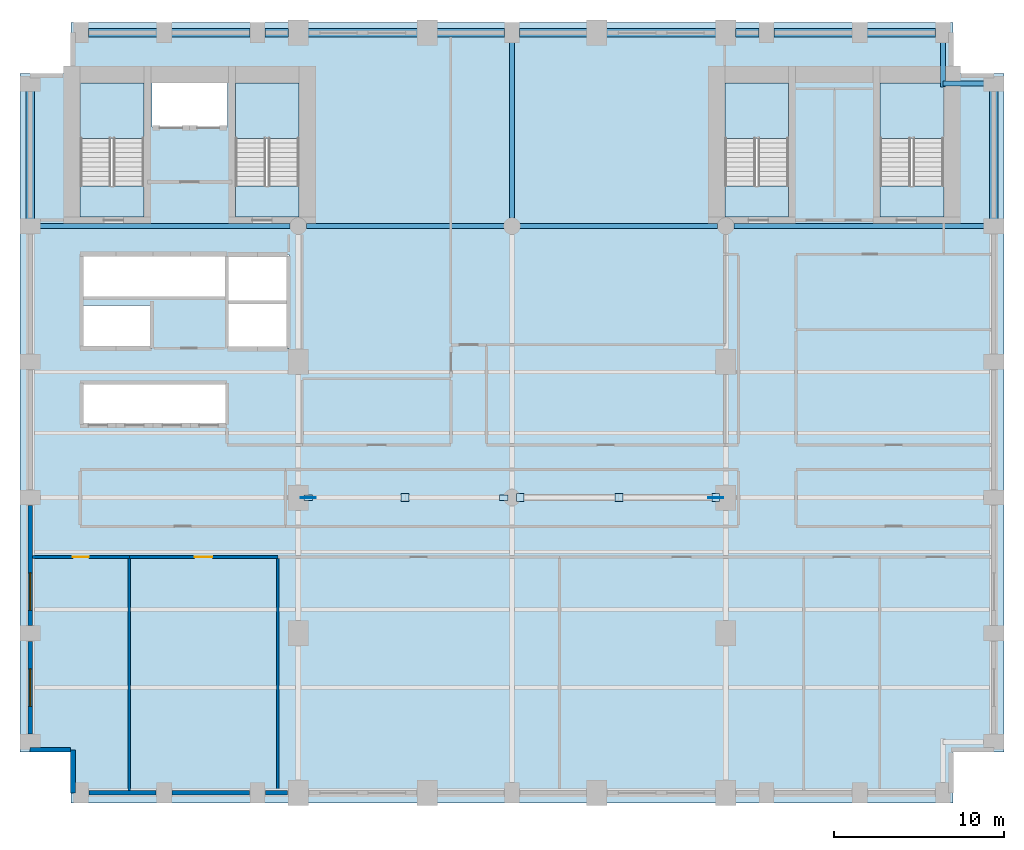
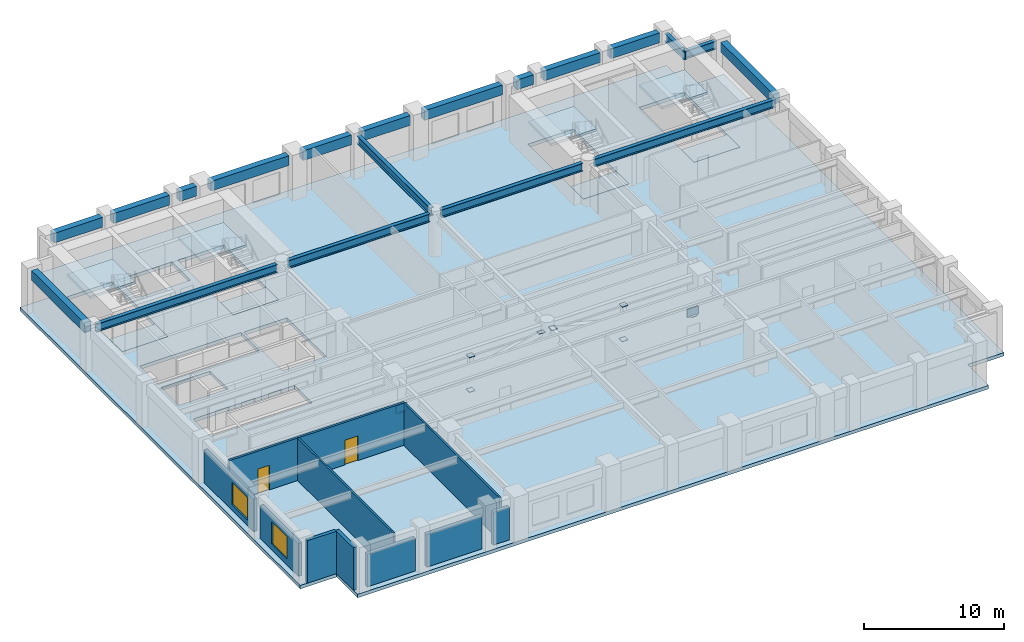
# One storey, part 4 of 10: 19 beams, 11 walls, 10 plates, 9 slabs, 2 doors, 2 windows, 4 openings, 4 elements without a shape of their own.
"""IFC4 building model written with IfcOpenShell, lengths in metres."""

from ifc_helpers import new_model, si_unit, direction, frame, frame_2d, origin, origin_2d, place, context, subcontext, project, spatial, polyline, rectangle, i_section, outline, extrude, material, layer, layer_set, material_profile, profile_set, type_object, element, fill, aggregate, save


model = new_model("IFC4")

# Units and contexts
model_context = context("Model", 3, precision=1e-05, world=origin(), true_north=direction((0.0, 1.0)))
body_context = subcontext(model_context, "Body", "Model", "MODEL_VIEW")
ifc_project = project(units=[si_unit("LENGTHUNIT", "METRE"), si_unit("AREAUNIT", "SQUARE_METRE"), si_unit("VOLUMEUNIT", "CUBIC_METRE"), si_unit("PLANEANGLEUNIT", "RADIAN"), si_unit("MASSUNIT", "GRAM", prefix="KILO")], contexts=[model_context])

# Site, building, storey
site_placement = place(None, origin())
site = spatial("IfcSite", under=ifc_project, at=site_placement, CompositionType="ELEMENT")
building_placement = place(site_placement, origin())
building = spatial("IfcBuilding", under=site, at=building_placement, Name="Sulina Concourse Tower", CompositionType="ELEMENT")
storey_placement = place(building_placement, frame((0.0, 0.0, 58.60009765625)))
storey = spatial("IfcBuildingStorey", under=building, at=storey_placement, Name="L14", CompositionType="ELEMENT", Elevation=58.60009765625)

# Beams
ifc_material_1 = material(Name="Steel S355", Category="steel")
ifc_material_profile_1 = material_profile(ifc_material_1, i_section(OverallWidth=0.300048828125, OverallDepth=0.699951171875, WebThickness=0.01708984375, FlangeThickness=0.031982421875, at=origin_2d()), Name="HE 700 B")
ifc_profile_set_1 = profile_set([ifc_material_profile_1], Name="Steel S355")
beam_type_1 = type_object("IfcBeamType", Name="Floor Primary Girder Zone 1 HE700B", PredefinedType="BEAM", material=ifc_profile_set_1)
beam_1_placement = place(storey_placement, frame((54.39990234375, 42.39990234375, 3.349853515625), z_axis=(1.0, 0.0, 0.0), x_axis=(0.0, 1.0, 0.0)))
element("IfcBeam", 1, at=beam_1_placement, inside=storey, type_object=beam_type_1, Name="TIE-NE-L14", PredefinedType="BEAM", context=body_context, shape_type="SweptSolid", body=[
    extrude(i_section(OverallWidth=0.300048828125, OverallDepth=0.699951171875, WebThickness=0.01708984375, FlangeThickness=0.031982421875, at=origin_2d()), origin(), (0.0, 0.0, 1.0), 2.570068359375),
])
beam_2_placement = place(storey_placement, frame((54.39990234375, 42.199951171875, 3.349853515625), z_axis=(0.0, 1.0, 0.0), x_axis=(-1.0, 0.0, 0.0)))
element("IfcBeam", 2, at=beam_2_placement, inside=storey, type_object=beam_type_1, Name="TIE-NEN-L14", PredefinedType="BEAM", context=body_context, shape_type="SweptSolid", body=[
    extrude(i_section(OverallWidth=0.300048828125, OverallDepth=0.699951171875, WebThickness=0.01708984375, FlangeThickness=0.031982421875, at=origin_2d()), origin(), (0.0, 0.0, 1.0), 2.77001953125),
])
beam_3_placement = place(storey_placement, frame((1.030029296875, 34.0, 3.349853515625), z_axis=(1.0, 0.0, 0.0), x_axis=(0.0, 1.0, 0.0)))
element("IfcBeam", 3, at=beam_3_placement, inside=storey, type_object=beam_type_1, Name="FG-EWN1-L14", PredefinedType="BEAM", context=body_context, shape_type="SweptSolid", body=[
    extrude(i_section(OverallWidth=0.300048828125, OverallDepth=0.699951171875, WebThickness=0.01708984375, FlangeThickness=0.031982421875, at=origin_2d()), origin(), (0.0, 0.0, 1.0), 14.889892578125),
])
for number, where, z_axis, x_axis, name in (
    (4, (16.8798828125, 34.0, 3.349853515625), (1.0, 0.0, 0.0), (0.0, 1.0, 0.0), "FG-EWN2-L14"),
    (5, (29.47998046875, 34.0, 3.349853515625), (1.0, 0.0, 0.0), (0.0, 1.0, 0.0), "FG-EWN3-L14"),
):
    element("IfcBeam", number, at=place(storey_placement, frame(where, z_axis=z_axis, x_axis=x_axis)), inside=storey, type_object=beam_type_1, Name=name, PredefinedType="BEAM", context=body_context, shape_type="SweptSolid", body=[
        extrude(i_section(OverallWidth=0.300048828125, OverallDepth=0.699951171875, WebThickness=0.01708984375, FlangeThickness=0.031982421875, at=origin_2d()), origin(), (0.0, 0.0, 1.0), 11.64013671875),
    ])
beam_4_placement = place(storey_placement, frame((42.080078125, 34.0, 3.349853515625), z_axis=(1.0, 0.0, 0.0), x_axis=(0.0, 1.0, 0.0)))
element("IfcBeam", 6, at=beam_4_placement, inside=storey, type_object=beam_type_1, Name="FG-EWN4-L14", PredefinedType="BEAM", context=body_context, shape_type="SweptSolid", body=[
    extrude(i_section(OverallWidth=0.300048828125, OverallDepth=0.699951171875, WebThickness=0.01708984375, FlangeThickness=0.031982421875, at=origin_2d()), origin(), (0.0, 0.0, 1.0), 14.889892578125),
])
beam_5_placement = place(storey_placement, frame((29.0, 34.47998046875, 3.349853515625), z_axis=(0.0, 1.0, 0.0), x_axis=(-1.0, 0.0, 0.0)))
element("IfcBeam", 7, at=beam_5_placement, inside=storey, type_object=beam_type_1, Name="FG-NSC-29-L14", PredefinedType="BEAM", context=body_context, shape_type="SweptSolid", body=[
    extrude(i_section(OverallWidth=0.300048828125, OverallDepth=0.699951171875, WebThickness=0.01708984375, FlangeThickness=0.031982421875, at=origin_2d()), origin(), (0.0, 0.0, 1.0), 10.489990234375),
])
ifc_material_2 = material(Name="Precast concrete C50/60", Category="concrete")
ifc_material_profile_2 = material_profile(ifc_material_2, rectangle(XDim=0.5, YDim=0.85009765625, at=origin_2d()), Name="RC 500x850")
ifc_profile_set_2 = profile_set([ifc_material_profile_2], Name="Precast concrete C50/60")
beam_type_2 = type_object("IfcBeamType", Name="Lower Precast Spandrel Edge Beam 500x850", PredefinedType="BEAM", material=ifc_profile_set_2)
beam_6_placement = place(storey_placement, frame((4.030029296875, 45.39990234375, 3.27490234375), z_axis=(1.0, 0.0, 0.0), x_axis=(0.0, 1.0, 0.0)))
element("IfcBeam", 8, at=beam_6_placement, inside=storey, type_object=beam_type_2, Name="SP-N1-L14", PredefinedType="BEAM", context=body_context, shape_type="SweptSolid", body=[
    extrude(rectangle(XDim=0.5, YDim=0.85009765625, at=origin_2d()), origin(), (0.0, 0.0, 1.0), 4.0400390625),
])
beam_7_placement = place(storey_placement, frame((8.929931640625, 45.39990234375, 3.27490234375), z_axis=(1.0, 0.0, 0.0), x_axis=(0.0, 1.0, 0.0)))
element("IfcBeam", 9, at=beam_7_placement, inside=storey, type_object=beam_type_2, Name="SP-N2-L14", PredefinedType="BEAM", context=body_context, shape_type="SweptSolid", body=[
    extrude(rectangle(XDim=0.5, YDim=0.85009765625, at=origin_2d()), origin(), (0.0, 0.0, 1.0), 4.64013671875),
])
beam_8_placement = place(storey_placement, frame((14.429931640625, 45.39990234375, 3.27490234375), z_axis=(1.0, 0.0, 0.0), x_axis=(0.0, 1.0, 0.0)))
element("IfcBeam", 10, at=beam_8_placement, inside=storey, type_object=beam_type_2, Name="SP-N3-L14", PredefinedType="BEAM", context=body_context, shape_type="SweptSolid", body=[
    extrude(rectangle(XDim=0.5, YDim=0.85009765625, at=origin_2d()), origin(), (0.0, 0.0, 1.0), 1.39013671875),
])
beam_9_placement = place(storey_placement, frame((16.97998046875, 45.39990234375, 3.27490234375), z_axis=(1.0, 0.0, 0.0), x_axis=(0.0, 1.0, 0.0)))
element("IfcBeam", 11, at=beam_9_placement, inside=storey, type_object=beam_type_2, Name="SP-N4-L14", PredefinedType="BEAM", context=body_context, shape_type="SweptSolid", body=[
    extrude(rectangle(XDim=0.5, YDim=0.85009765625, at=origin_2d()), origin(), (0.0, 0.0, 1.0), 6.43994140625),
])
for number, where, z_axis, x_axis, name in (
    (12, (24.580078125, 45.39990234375, 3.27490234375), (1.0, 0.0, 0.0), (0.0, 1.0, 0.0), "SP-N5-L14"),
    (13, (29.429931640625, 45.39990234375, 3.27490234375), (1.0, 0.0, 0.0), (0.0, 1.0, 0.0), "SP-N6-L14"),
):
    element("IfcBeam", number, at=place(storey_placement, frame(where, z_axis=z_axis, x_axis=x_axis)), inside=storey, type_object=beam_type_2, Name=name, PredefinedType="BEAM", context=body_context, shape_type="SweptSolid", body=[
        extrude(rectangle(XDim=0.5, YDim=0.85009765625, at=origin_2d()), origin(), (0.0, 0.0, 1.0), 3.989990234375),
    ])
beam_10_placement = place(storey_placement, frame((34.580078125, 45.39990234375, 3.27490234375), z_axis=(1.0, 0.0, 0.0), x_axis=(0.0, 1.0, 0.0)))
element("IfcBeam", 14, at=beam_10_placement, inside=storey, type_object=beam_type_2, Name="SP-N7-L14", PredefinedType="BEAM", context=body_context, shape_type="SweptSolid", body=[
    extrude(rectangle(XDim=0.5, YDim=0.85009765625, at=origin_2d()), origin(), (0.0, 0.0, 1.0), 6.43994140625),
])
beam_11_placement = place(storey_placement, frame((42.179931640625, 45.39990234375, 3.27490234375), z_axis=(1.0, 0.0, 0.0), x_axis=(0.0, 1.0, 0.0)))
element("IfcBeam", 15, at=beam_11_placement, inside=storey, type_object=beam_type_2, Name="SP-N8-L14", PredefinedType="BEAM", context=body_context, shape_type="SweptSolid", body=[
    extrude(rectangle(XDim=0.5, YDim=0.85009765625, at=origin_2d()), origin(), (0.0, 0.0, 1.0), 1.39013671875),
])
beam_12_placement = place(storey_placement, frame((44.429931640625, 45.39990234375, 3.27490234375), z_axis=(1.0, 0.0, 0.0), x_axis=(0.0, 1.0, 0.0)))
element("IfcBeam", 16, at=beam_12_placement, inside=storey, type_object=beam_type_2, Name="SP-N9-L14", PredefinedType="BEAM", context=body_context, shape_type="SweptSolid", body=[
    extrude(rectangle(XDim=0.5, YDim=0.85009765625, at=origin_2d()), origin(), (0.0, 0.0, 1.0), 4.64013671875),
])
beam_13_placement = place(storey_placement, frame((49.929931640625, 45.39990234375, 3.27490234375), z_axis=(1.0, 0.0, 0.0), x_axis=(0.0, 1.0, 0.0)))
element("IfcBeam", 17, at=beam_13_placement, inside=storey, type_object=beam_type_2, Name="SP-N10-L14", PredefinedType="BEAM", context=body_context, shape_type="SweptSolid", body=[
    extrude(rectangle(XDim=0.5, YDim=0.85009765625, at=origin_2d()), origin(), (0.0, 0.0, 1.0), 4.0400390625),
])
for number, where, z_axis, x_axis, name in (
    (18, (0.60009765625, 34.429931640625, 3.27490234375), (0.0, 1.0, 0.0), (-1.0, 0.0, 0.0), "SP-W5-L14"),
    (19, (57.39990234375, 34.429931640625, 3.27490234375), (0.0, 1.0, 0.0), (-1.0, 0.0, 0.0), "SP-E5-L14"),
):
    element("IfcBeam", number, at=place(storey_placement, frame(where, z_axis=z_axis, x_axis=x_axis)), inside=storey, type_object=beam_type_2, Name=name, PredefinedType="BEAM", context=body_context, shape_type="SweptSolid", body=[
        extrude(rectangle(XDim=0.5, YDim=0.85009765625, at=origin_2d()), origin(), (0.0, 0.0, 1.0), 7.5400390625),
    ])

# Plates
ifc_material_3 = material(Name="Steel S355", Category="steel")
ifc_layer_1 = layer(ifc_material_3, 0.050048828125)
ifc_layer_set_1 = layer_set([ifc_layer_1], Name="Steel S355")
plate_type_1 = type_object("IfcPlateType", Name="Bridge Truss Node Gusset Plate 50mm", PredefinedType="USERDEFINED", material=ifc_layer_set_1)
for number, where, z_axis, x_axis, name in (
    (20, (16.989990234375, 18.0, 0.06982421875), (0.0, 0.0, 1.0), (1.0, 0.0, 0.0), "LBT-DG-1-L14 node gusset plate"),
    (21, (41.010009765625, 18.0, 0.06982421875), (0.0, 0.0, 1.0), (1.0, 0.0, 0.0), "LBT-DG-2-L14 node gusset plate"),
):
    element("IfcPlate", number, at=place(storey_placement, frame(where, z_axis=z_axis, x_axis=x_axis)), inside=storey, type_object=plate_type_1, Name=name, ObjectType="GUSSET_PLATE", PredefinedType="USERDEFINED", context=body_context, shape_type="SweptSolid", body=[
        extrude(rectangle(XDim=0.89990234375, YDim=0.050048828125, at=origin_2d()), origin(), (0.0, 0.0, 1.0), 0.699951171875),
    ])
ifc_material_4 = material(Name="Steel S355", Category="steel")
ifc_layer_2 = layer(ifc_material_4, 0.035888671875)
ifc_layer_set_2 = layer_set([ifc_layer_2], Name="Steel S355")
plate_type_2 = type_object("IfcPlateType", Name="Heavy RHS500 End-Cap Plate 36mm", PredefinedType="USERDEFINED", material=ifc_layer_set_2)
for number, where, z_axis, x_axis, name in (
    (22, (16.989990234375, 18.0, 0.10205078125), (0.0, 0.0, 1.0), (1.0, 0.0, 0.0), "LBT-DG-1-L14 end cap plate 1"),
    (23, (28.510009765625, 18.0, 2.9921875), (0.0, 0.0, 1.0), (1.0, 0.0, 0.0), "LBT-DG-1-L14 end cap plate 2"),
):
    element("IfcPlate", number, at=place(storey_placement, frame(where, z_axis=z_axis, x_axis=x_axis)), inside=storey, type_object=plate_type_2, Name=name, ObjectType="CAP_PLATE", PredefinedType="USERDEFINED", context=body_context, shape_type="SweptSolid", body=[
        extrude(rectangle(XDim=0.52001953125, YDim=0.320068359375, at=origin_2d()), origin(), (0.0, 0.0, 1.0), 0.035888671875),
    ])

# Slab
ifc_material_5 = material(Name="Concrete C50/60", Category="concrete")
ifc_layer_3 = layer(ifc_material_5, 0.300048828125)
ifc_layer_set_3 = layer_set([ifc_layer_3], Name="Concrete C50/60")
slab_type_1 = type_object("IfcSlabType", Name="Low-Rise Composite Floor Slab 300mm", PredefinedType="FLOOR", material=ifc_layer_set_3)
slab_1_placement = place(storey_placement, frame((0.0, 0.0, -0.300048828125)))
element("IfcSlab", 24, at=slab_1_placement, inside=storey, type_object=slab_type_1, Name="L14 structural floor slab", PredefinedType="FLOOR", context=body_context, shape_type="SweptSolid", body=[
    extrude(outline(polyline([(3.0, 0.0), (55.0, 0.0), (55.0, 3.0), (58.0, 3.0), (58.0, 43.0), (55.0, 43.0), (55.0, 46.0), (3.0, 46.0), (3.0, 43.0), (0.0, 43.0), (0.0, 3.0), (3.0, 3.0), (3.0, 0.0)]), holes=[polyline([(7.31005859375, 34.550048828125), (7.31005859375, 42.429931640625), (3.550048828125, 42.429931640625), (3.550048828125, 34.550048828125), (7.31005859375, 34.550048828125)]), polyline([(16.449951171875, 34.550048828125), (16.449951171875, 42.429931640625), (12.68994140625, 42.429931640625), (12.68994140625, 34.550048828125), (16.449951171875, 34.550048828125)]), polyline([(45.31005859375, 34.550048828125), (45.31005859375, 42.429931640625), (41.550048828125, 42.429931640625), (41.550048828125, 34.550048828125), (45.31005859375, 34.550048828125)]), polyline([(54.449951171875, 34.550048828125), (54.449951171875, 42.429931640625), (50.68994140625, 42.429931640625), (50.68994140625, 34.550048828125), (54.449951171875, 34.550048828125)]), polyline([(7.780029296875, 39.830078125), (12.219970703125, 39.830078125), (12.219970703125, 42.449951171875), (7.780029296875, 42.449951171875), (7.780029296875, 39.830078125)]), polyline([(3.739990234375, 26.780029296875), (7.77001953125, 26.780029296875), (7.77001953125, 29.320068359375), (3.739990234375, 29.320068359375), (3.739990234375, 26.780029296875)]), polyline([(3.739990234375, 29.780029296875), (12.10009765625, 29.780029296875), (12.10009765625, 32.3701171875), (3.739990234375, 32.3701171875), (3.739990234375, 29.780029296875)]), polyline([(3.739990234375, 22.280029296875), (12.10009765625, 22.280029296875), (12.10009765625, 24.77001953125), (3.739990234375, 24.77001953125), (3.739990234375, 22.280029296875)]), polyline([(12.280029296875, 26.780029296875), (15.85009765625, 26.780029296875), (15.85009765625, 32.320068359375), (12.280029296875, 32.320068359375), (12.280029296875, 26.780029296875)])]), origin(), (0.0, 0.0, 1.0), 0.300048828125),
])

# Plates
ifc_material_6 = material(Name="Steel S355", Category="steel")
ifc_layer_4 = layer(ifc_material_6, 0.028076171875)
ifc_layer_set_4 = layer_set([ifc_layer_4], Name="Steel S355")
plate_type_3 = type_object("IfcPlateType", Name="Medium Hollow Section End-Cap Plate 28mm", PredefinedType="USERDEFINED", material=ifc_layer_set_4)
for number, where, z_axis, x_axis, name in (
    (25, (22.699951171875, 18.0, -0.00927734375), (0.0, 0.0, 1.0), (1.0, 0.0, 0.0), "LBT-VP-1-L14 end cap plate 1"),
    (26, (22.699951171875, 18.0, 2.99609375), (0.0, 0.0, 1.0), (1.0, 0.0, 0.0), "LBT-VP-1-L14 end cap plate 2"),
    (27, (41.010009765625, 18.0, 0.10595703125), (0.0, 0.0, 1.0), (1.0, 0.0, 0.0), "LBT-DG-2-L14 end cap plate 1"),
    (28, (29.489990234375, 18.0, 2.99609375), (0.0, 0.0, 1.0), (1.0, 0.0, 0.0), "LBT-DG-2-L14 end cap plate 2"),
    (29, (35.300048828125, 18.0, -0.00927734375), (0.0, 0.0, 1.0), (1.0, 0.0, 0.0), "LBT-VP-2-L14 end cap plate 1"),
    (30, (35.300048828125, 18.0, 2.99609375), (0.0, 0.0, 1.0), (1.0, 0.0, 0.0), "LBT-VP-2-L14 end cap plate 2"),
):
    element("IfcPlate", number, at=place(storey_placement, frame(where, z_axis=z_axis, x_axis=x_axis)), inside=storey, type_object=plate_type_3, Name=name, ObjectType="CAP_PLATE", PredefinedType="USERDEFINED", context=body_context, shape_type="SweptSolid", body=[
        extrude(rectangle(XDim=0.4599609375, YDim=0.4599609375, at=origin_2d()), origin(), (0.0, 0.0, 1.0), 0.028076171875),
    ])

# Slabs
ifc_material_7 = material(Name="Concrete C50/60", Category="concrete")
ifc_layer_5 = layer(ifc_material_7, 0.199951171875)
ifc_layer_set_5 = layer_set([ifc_layer_5], Name="Concrete C50/60")
slab_type_2 = type_object("IfcSlabType", Name="Primary Core Stair Landing Slab 200mm", PredefinedType="LANDING", material=ifc_layer_set_5)
slab_2_placement = place(storey_placement, frame((0.0, 0.0, -0.2001953125)))
element("IfcSlab", 31, at=slab_2_placement, inside=storey, type_object=slab_type_2, Name="L14 ST-1 floor landing slab", PredefinedType="LANDING", context=body_context, shape_type="SweptSolid", body=[
    extrude(outline(polyline([(7.31005859375, 34.550048828125), (7.31005859375, 36.375), (3.550048828125, 36.375), (3.550048828125, 34.550048828125), (7.31005859375, 34.550048828125)])), origin(), (0.0, 0.0, 1.0), 0.2001953125),
])
slab_3_placement = place(storey_placement, frame((0.0, 0.0, -0.2001953125)))
element("IfcSlab", 32, at=slab_3_placement, inside=storey, type_object=slab_type_2, Name="L14 ST-2 floor landing slab", PredefinedType="LANDING", context=body_context, shape_type="SweptSolid", body=[
    extrude(outline(polyline([(16.449951171875, 34.550048828125), (16.449951171875, 36.375), (12.68994140625, 36.375), (12.68994140625, 34.550048828125), (16.449951171875, 34.550048828125)])), origin(), (0.0, 0.0, 1.0), 0.2001953125),
])
slab_4_placement = place(storey_placement, frame((0.0, 0.0, -0.2001953125)))
element("IfcSlab", 33, at=slab_4_placement, inside=storey, type_object=slab_type_2, Name="L14 ST-3 floor landing slab", PredefinedType="LANDING", context=body_context, shape_type="SweptSolid", body=[
    extrude(outline(polyline([(45.31005859375, 34.550048828125), (45.31005859375, 36.375), (41.550048828125, 36.375), (41.550048828125, 34.550048828125), (45.31005859375, 34.550048828125)])), origin(), (0.0, 0.0, 1.0), 0.2001953125),
])
slab_5_placement = place(storey_placement, frame((0.0, 0.0, -0.2001953125)))
element("IfcSlab", 34, at=slab_5_placement, inside=storey, type_object=slab_type_2, Name="L14 ST-4 floor landing slab", PredefinedType="LANDING", context=body_context, shape_type="SweptSolid", body=[
    extrude(outline(polyline([(54.449951171875, 34.550048828125), (54.449951171875, 36.375), (50.68994140625, 36.375), (50.68994140625, 34.550048828125), (54.449951171875, 34.550048828125)])), origin(), (0.0, 0.0, 1.0), 0.2001953125),
])

# Stair, slab
ifc_material_8 = material(Name="Concrete C50/60", Category="concrete")
stair_type_1 = type_object("IfcStairType", Name="Primary Core Dog-Leg Exit Stair 1800mm", PredefinedType="HALF_TURN_STAIR", material=ifc_material_8)
stair_1_placement = place(storey_placement, origin())
stair_1 = element("IfcStair", 35, at=stair_1_placement, inside=storey, type_object=stair_type_1, Name="L14 ST-1", PredefinedType="HALF_TURN_STAIR")
slab_6_placement = place(storey_placement, frame((0.0, 0.0, 1.7998046875)))
slab_6 = element("IfcSlab", 36, at=slab_6_placement, type_object=slab_type_2, Name="ST-1 landing 1", PredefinedType="LANDING", context=body_context, shape_type="SweptSolid", body=[
    extrude(outline(polyline([(7.304931640625, 39.175048828125), (7.304931640625, 42.425048828125), (3.554931640625, 42.425048828125), (3.554931640625, 39.175048828125), (7.304931640625, 39.175048828125)])), origin(), (0.0, 0.0, 1.0), 0.2001953125),
])
aggregate(stair_1, [slab_6])

stair_2_placement = place(storey_placement, origin())
stair_2 = element("IfcStair", 37, at=stair_2_placement, inside=storey, type_object=stair_type_1, Name="L14 ST-2", PredefinedType="HALF_TURN_STAIR")
slab_7_placement = place(storey_placement, frame((0.0, 0.0, 1.7998046875)))
slab_7 = element("IfcSlab", 38, at=slab_7_placement, type_object=slab_type_2, Name="ST-2 landing 1", PredefinedType="LANDING", context=body_context, shape_type="SweptSolid", body=[
    extrude(outline(polyline([(16.445068359375, 39.175048828125), (16.445068359375, 42.425048828125), (12.695068359375, 42.425048828125), (12.695068359375, 39.175048828125), (16.445068359375, 39.175048828125)])), origin(), (0.0, 0.0, 1.0), 0.2001953125),
])
aggregate(stair_2, [slab_7])

ifc_material_9 = material(Name="Concrete C50/60", Category="concrete")
stair_type_2 = type_object("IfcStairType", Name="Portal & Podium Core Exit Stair 1820mm", PredefinedType="HALF_TURN_STAIR", material=ifc_material_9)
stair_3_placement = place(storey_placement, origin())
stair_3 = element("IfcStair", 39, at=stair_3_placement, inside=storey, type_object=stair_type_2, Name="L14 ST-3", PredefinedType="HALF_TURN_STAIR")
slab_8_placement = place(storey_placement, frame((0.0, 0.0, 1.7998046875)))
slab_8 = element("IfcSlab", 40, at=slab_8_placement, type_object=slab_type_2, Name="ST-3 landing 1", PredefinedType="LANDING", context=body_context, shape_type="SweptSolid", body=[
    extrude(outline(polyline([(45.304931640625, 39.175048828125), (45.304931640625, 42.425048828125), (41.554931640625, 42.425048828125), (41.554931640625, 39.175048828125), (45.304931640625, 39.175048828125)])), origin(), (0.0, 0.0, 1.0), 0.2001953125),
])
aggregate(stair_3, [slab_8])

stair_4_placement = place(storey_placement, origin())
stair_4 = element("IfcStair", 41, at=stair_4_placement, inside=storey, type_object=stair_type_2, Name="L14 ST-4", PredefinedType="HALF_TURN_STAIR")
slab_9_placement = place(storey_placement, frame((0.0, 0.0, 1.7998046875)))
slab_9 = element("IfcSlab", 42, at=slab_9_placement, type_object=slab_type_2, Name="ST-4 landing 1", PredefinedType="LANDING", context=body_context, shape_type="SweptSolid", body=[
    extrude(outline(polyline([(54.445068359375, 39.175048828125), (54.445068359375, 42.425048828125), (50.695068359375, 42.425048828125), (50.695068359375, 39.175048828125), (54.445068359375, 39.175048828125)])), origin(), (0.0, 0.0, 1.0), 0.2001953125),
])
aggregate(stair_4, [slab_9])

# Walls
ifc_material_10 = material(Name="Gypsum board on steel stud", Category="steel")
ifc_layer_6 = layer(ifc_material_10, 0.14990234375)
ifc_layer_set_6 = layer_set([ifc_layer_6], Name="Gypsum board on steel stud")
wall_type_1 = type_object("IfcWallType", Name="Inter-Tenancy Acoustic Partition 150mm", PredefinedType="PARTITIONING", material=ifc_layer_set_6)
for number, where, z_axis, x_axis, name in (
    (43, (6.43994140625, 0.739990234375, 0.0), (0.0, 0.0, 1.0), (0.0, 1.0, 0.0), "L14 interior partition 030"),
    (44, (15.199951171875, 0.739990234375, 0.0), (0.0, 0.0, 1.0), (0.0, 1.0, 0.0), "L14 interior partition 032"),
):
    element("IfcWall", number, at=place(storey_placement, frame(where, z_axis=z_axis, x_axis=x_axis)), inside=storey, type_object=wall_type_1, Name=name, PredefinedType="PARTITIONING", context=body_context, shape_type="SweptSolid", body=[
        extrude(rectangle(XDim=13.669921875, YDim=0.14990234375, at=frame_2d((6.8349609375, 0.0))), origin(), (0.0, 0.0, 1.0), 3.699951171875),
    ])

# Wall, opening, door
ifc_material_11 = material(Name="Gypsum board on steel stud", Category="steel")
ifc_layer_7 = layer(ifc_material_11, 0.179931640625)
ifc_layer_set_7 = layer_set([ifc_layer_7], Name="Gypsum board on steel stud")
wall_type_2 = type_object("IfcWallType", Name="Protected Corridor & Riser Partition 180mm", PredefinedType="PARTITIONING", material=ifc_layer_set_7)
wall_1_placement = place(storey_placement, frame((0.739990234375, 14.5, 0.0), z_axis=(0.0, 0.0, 1.0), x_axis=(1.0, 0.0, 0.0)))
wall_1 = element("IfcWall", 45, at=wall_1_placement, inside=storey, type_object=wall_type_2, Name="L14 interior partition 001", PredefinedType="PARTITIONING", context=body_context, shape_type="SweptSolid", body=[
    extrude(rectangle(XDim=5.699951171875, YDim=0.179931640625, at=frame_2d((2.85009765625, 0.0))), origin(), (0.0, 0.0, 1.0), 3.699951171875),
])
opening_1_placement = place(wall_1_placement, frame((2.375, 0.0, 0.0)))
opening_1 = element("IfcOpeningElement", 46, at=opening_1_placement, cuts=wall_1, Name="Opening DR-19", PredefinedType="OPENING", context=body_context, shape_type="SweptSolid", body=[
    extrude(rectangle(XDim=0.949951171875, YDim=2.14990234375, at=frame_2d((0.47509765625, 1.074951171875))), frame((0.0, 0.099853515625, 0.0), z_axis=(0.0, -1.0, 0.0), x_axis=(1.0, 0.0, 0.0)), (0.0, 0.0, 1.0), 0.199951171875),
])
ifc_material_12 = material(Name="Oak-veneered acoustic timber leaf", Category="wood")
ifc_layer_8 = layer(ifc_material_12, 0.050048828125)
ifc_layer_set_8 = layer_set([ifc_layer_8], Name="Oak-veneered acoustic timber leaf")
door_type_1 = type_object("IfcDoorType", Name="Cellular Office & Meeting Door 950x2150", OperationType="NOTDEFINED", PredefinedType="DOOR", material=ifc_layer_set_8)
door_1_placement = place(opening_1_placement, origin())
door_1 = element("IfcDoor", 47, at=door_1_placement, inside=storey, type_object=door_type_1, Name="L14 interior door L14-S01A", OperationType="SINGLE_SWING_RIGHT", OverallHeight=2.14990234375, OverallWidth=0.949951171875, PredefinedType="DOOR", context=body_context, shape_type="SweptSolid", body=[
    extrude(rectangle(XDim=0.949951171875, YDim=2.14990234375, at=frame_2d((0.47509765625, 1.074951171875))), frame((0.0, 0.02490234375, 0.0), z_axis=(0.0, -1.0, 0.0), x_axis=(1.0, 0.0, 0.0)), (0.0, 0.0, 1.0), 0.050048828125),
])
fill(opening_1, door_1)

wall_2_placement = place(storey_placement, frame((6.43994140625, 14.5, 0.0), z_axis=(0.0, 0.0, 1.0), x_axis=(1.0, 0.0, 0.0)))
wall_2 = element("IfcWall", 48, at=wall_2_placement, inside=storey, type_object=wall_type_2, Name="L14 interior partition 002", PredefinedType="PARTITIONING", context=body_context, shape_type="SweptSolid", body=[
    extrude(rectangle(XDim=8.760009765625, YDim=0.179931640625, at=frame_2d((4.3798828125, 0.0))), origin(), (0.0, 0.0, 1.0), 3.699951171875),
])
opening_2_placement = place(wall_2_placement, frame((3.85498046875, 0.0, 0.0)))
opening_2 = element("IfcOpeningElement", 49, at=opening_2_placement, cuts=wall_2, Name="Opening DR-37", PredefinedType="OPENING", context=body_context, shape_type="SweptSolid", body=[
    extrude(rectangle(XDim=1.050048828125, YDim=2.14990234375, at=frame_2d((0.52490234375, 1.074951171875))), frame((0.0, 0.099853515625, 0.0), z_axis=(0.0, -1.0, 0.0), x_axis=(1.0, 0.0, 0.0)), (0.0, 0.0, 1.0), 0.199951171875),
])
ifc_material_13 = material(Name="Oak-veneered fire door leaf")
ifc_layer_9 = layer(ifc_material_13, 0.050048828125)
ifc_layer_set_9 = layer_set([ifc_layer_9], Name="Oak-veneered fire door leaf")
door_type_2 = type_object("IfcDoorType", Name="Tenant Suite Entrance Fire Door 1050x2150", OperationType="NOTDEFINED", PredefinedType="DOOR", material=ifc_layer_set_9)
door_2_placement = place(opening_2_placement, origin())
door_2 = element("IfcDoor", 50, at=door_2_placement, inside=storey, type_object=door_type_2, Name="L14 interior door L14-S01B", OperationType="SINGLE_SWING_LEFT", OverallHeight=2.14990234375, OverallWidth=1.050048828125, PredefinedType="DOOR", context=body_context, shape_type="SweptSolid", body=[
    extrude(rectangle(XDim=1.050048828125, YDim=2.14990234375, at=frame_2d((0.52490234375, 1.074951171875))), frame((0.0, 0.02490234375, 0.0), z_axis=(0.0, -1.0, 0.0), x_axis=(1.0, 0.0, 0.0)), (0.0, 0.0, 1.0), 0.050048828125),
])
fill(opening_2, door_2)

# Walls
ifc_material_14 = material(Name="Precast concrete C50/60", Category="concrete")
ifc_layer_10 = layer(ifc_material_14, 0.280029296875)
ifc_layer_set_10 = layer_set([ifc_layer_10], Name="Precast concrete C50/60")
wall_type_3 = type_object("IfcWallType", Name="Typical Precast Masonry-Frame Facade Wall 280mm", PredefinedType="SOLIDWALL", material=ifc_layer_set_10)
wall_3_placement = place(storey_placement, frame((8.030029296875, 0.60009765625, 0.0), z_axis=(0.0, 0.0, 1.0), x_axis=(-1.0, 0.0, 0.0)))
element("IfcWall", 51, at=wall_3_placement, inside=storey, type_object=wall_type_3, Name="L14 exterior precast wall S1", PredefinedType="SOLIDWALL", context=body_context, shape_type="SweptSolid", body=[
    extrude(rectangle(XDim=3.9599609375, YDim=0.280029296875, at=frame_2d((1.97998046875, 0.0))), origin(), (0.0, 0.0, 1.0), 2.849853515625),
])
wall_4_placement = place(storey_placement, frame((13.530029296875, 0.60009765625, 0.0), z_axis=(0.0, 0.0, 1.0), x_axis=(-1.0, 0.0, 0.0)))
element("IfcWall", 52, at=wall_4_placement, inside=storey, type_object=wall_type_3, Name="L14 exterior precast wall S2", PredefinedType="SOLIDWALL", context=body_context, shape_type="SweptSolid", body=[
    extrude(rectangle(XDim=4.56005859375, YDim=0.280029296875, at=frame_2d((2.280029296875, 0.0))), origin(), (0.0, 0.0, 1.0), 2.849853515625),
])
wall_5_placement = place(storey_placement, frame((15.780029296875, 0.60009765625, 0.0), z_axis=(0.0, 0.0, 1.0), x_axis=(-1.0, 0.0, 0.0)))
element("IfcWall", 53, at=wall_5_placement, inside=storey, type_object=wall_type_3, Name="L14 exterior precast wall S3", PredefinedType="SOLIDWALL", context=body_context, shape_type="SweptSolid", body=[
    extrude(rectangle(XDim=1.31005859375, YDim=0.280029296875, at=frame_2d((0.655029296875, 0.0))), origin(), (0.0, 0.0, 1.0), 2.849853515625),
])

# Wall, opening, window
wall_6_placement = place(storey_placement, frame((0.60009765625, 4.070068359375, 0.0), z_axis=(0.0, 0.0, 1.0), x_axis=(0.0, 1.0, 0.0)))
wall_6 = element("IfcWall", 54, at=wall_6_placement, inside=storey, type_object=wall_type_3, Name="L14 exterior precast wall W1", PredefinedType="SOLIDWALL", context=body_context, shape_type="SweptSolid", body=[
    extrude(rectangle(XDim=5.4599609375, YDim=0.280029296875, at=frame_2d((2.72998046875, 0.0))), origin(), (0.0, 0.0, 1.0), 2.849853515625),
])
opening_3_placement = place(wall_6_placement, frame((1.6298828125, 0.0, 0.5)))
opening_3 = element("IfcOpeningElement", 55, at=opening_3_placement, cuts=wall_6, Name="Opening WN-76", PredefinedType="OPENING", context=body_context, shape_type="SweptSolid", body=[
    extrude(rectangle(XDim=2.199951171875, YDim=1.949951171875, at=frame_2d((1.10009765625, 0.97509765625))), frame((0.0, 0.14990234375, 0.0), z_axis=(0.0, -1.0, 0.0), x_axis=(1.0, 0.0, 0.0)), (0.0, 0.0, 1.0), 0.300048828125),
])
ifc_material_15 = material(Name="Low-E solar double glazing in bronze aluminium", Category="aluminium")
window_type = type_object("IfcWindowType", Name="Recessed Spandrel Window 2200x1950", PartitioningType="DOUBLE_PANEL_VERTICAL", PredefinedType="WINDOW", material=ifc_material_15)
window_1_placement = place(opening_3_placement, origin())
window_1 = element("IfcWindow", 56, at=window_1_placement, inside=storey, type_object=window_type, Name="L14 punched window W1-1", OverallHeight=1.949951171875, OverallWidth=2.199951171875, PartitioningType="SINGLE_PANEL", PredefinedType="WINDOW", context=body_context, shape_type="SweptSolid", body=[
    extrude(rectangle(XDim=2.199951171875, YDim=1.949951171875, at=frame_2d((1.10009765625, 0.97509765625))), frame((0.0, 0.030029296875, 0.0), z_axis=(0.0, -1.0, 0.0), x_axis=(1.0, 0.0, 0.0)), (0.0, 0.0, 1.0), 0.06005859375),
])
fill(opening_3, window_1)

wall_7_placement = place(storey_placement, frame((0.60009765625, 10.469970703125, 0.0), z_axis=(0.0, 0.0, 1.0), x_axis=(0.0, 1.0, 0.0)))
wall_7 = element("IfcWall", 57, at=wall_7_placement, inside=storey, type_object=wall_type_3, Name="L14 exterior precast wall W2", PredefinedType="SOLIDWALL", context=body_context, shape_type="SweptSolid", body=[
    extrude(rectangle(XDim=7.06005859375, YDim=0.280029296875, at=frame_2d((3.530029296875, 0.0))), origin(), (0.0, 0.0, 1.0), 2.849853515625),
])
opening_4_placement = place(wall_7_placement, frame((0.88671875, 0.0, 0.5)))
opening_4 = element("IfcOpeningElement", 58, at=opening_4_placement, cuts=wall_7, Name="Opening WN-76", PredefinedType="OPENING", context=body_context, shape_type="SweptSolid", body=[
    extrude(rectangle(XDim=2.199951171875, YDim=1.949951171875, at=frame_2d((1.10009765625, 0.97509765625))), frame((0.0, 0.14990234375, 0.0), z_axis=(0.0, -1.0, 0.0), x_axis=(1.0, 0.0, 0.0)), (0.0, 0.0, 1.0), 0.300048828125),
])
window_2_placement = place(opening_4_placement, origin())
window_2 = element("IfcWindow", 59, at=window_2_placement, inside=storey, type_object=window_type, Name="L14 punched window W2-1", OverallHeight=1.949951171875, OverallWidth=2.199951171875, PartitioningType="SINGLE_PANEL", PredefinedType="WINDOW", context=body_context, shape_type="SweptSolid", body=[
    extrude(rectangle(XDim=2.199951171875, YDim=1.949951171875, at=frame_2d((1.10009765625, 0.97509765625))), frame((0.0, 0.030029296875, 0.0), z_axis=(0.0, -1.0, 0.0), x_axis=(1.0, 0.0, 0.0)), (0.0, 0.0, 1.0), 0.06005859375),
])
fill(opening_4, window_2)

# Walls
wall_8_placement = place(storey_placement, frame((3.1298828125, 0.60009765625, 0.0), z_axis=(0.0, 0.0, 1.0), x_axis=(0.0, 1.0, 0.0)))
element("IfcWall", 60, at=wall_8_placement, inside=storey, type_object=wall_type_3, Name="L14 exterior precast wall CSW1", PredefinedType="SOLIDWALL", context=body_context, shape_type="SweptSolid", body=[
    extrude(rectangle(XDim=2.52978515625, YDim=0.280029296875, at=frame_2d((1.264892578125, 0.0))), origin(), (0.0, 0.0, 1.0), 3.699951171875),
])
wall_9_placement = place(storey_placement, frame((2.985107421875, 3.1298828125, 0.0), z_axis=(0.0, 0.0, 1.0), x_axis=(-1.0, 0.0, 0.0)))
element("IfcWall", 61, at=wall_9_placement, inside=storey, type_object=wall_type_3, Name="L14 exterior precast wall CSW2", PredefinedType="SOLIDWALL", context=body_context, shape_type="SweptSolid", body=[
    extrude(rectangle(XDim=2.385009765625, YDim=0.280029296875, at=frame_2d((1.1923828125, 0.0))), origin(), (0.0, 0.0, 1.0), 3.699951171875),
])

save(model, "model.ifc")
